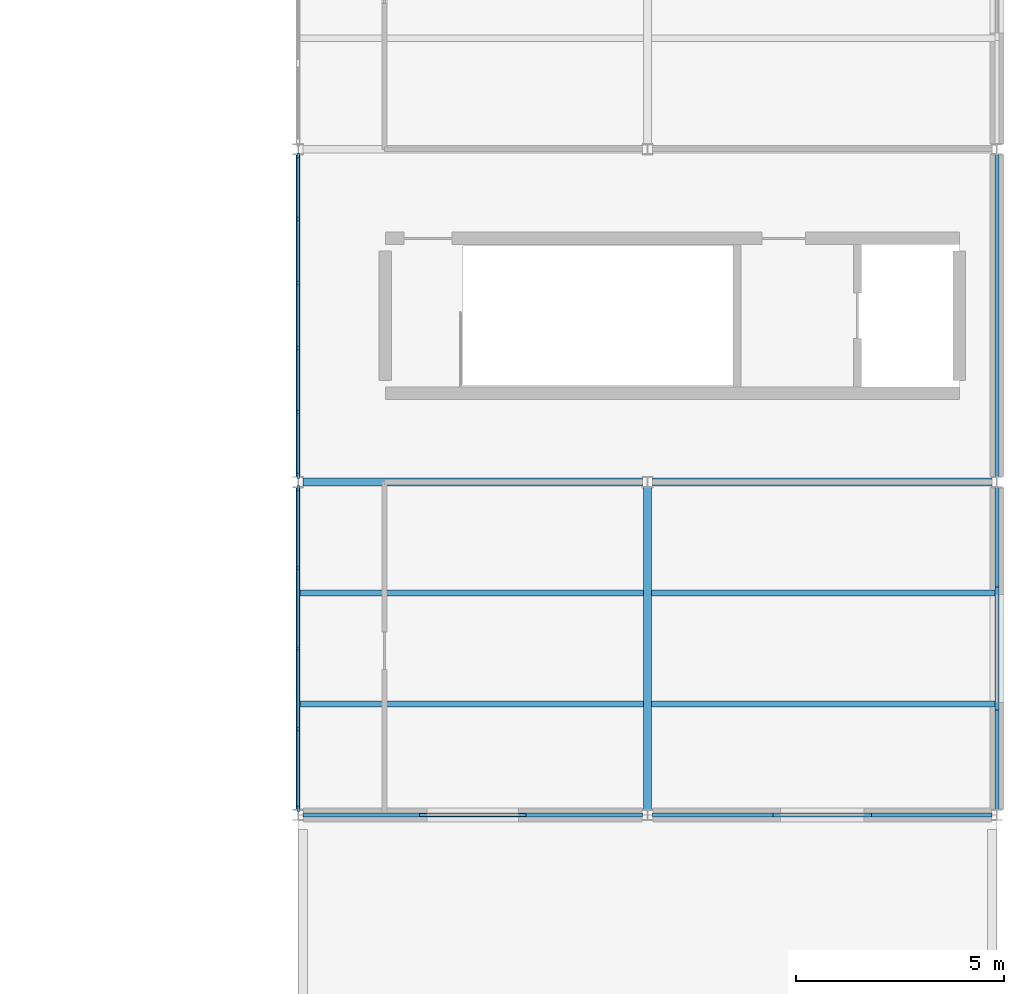
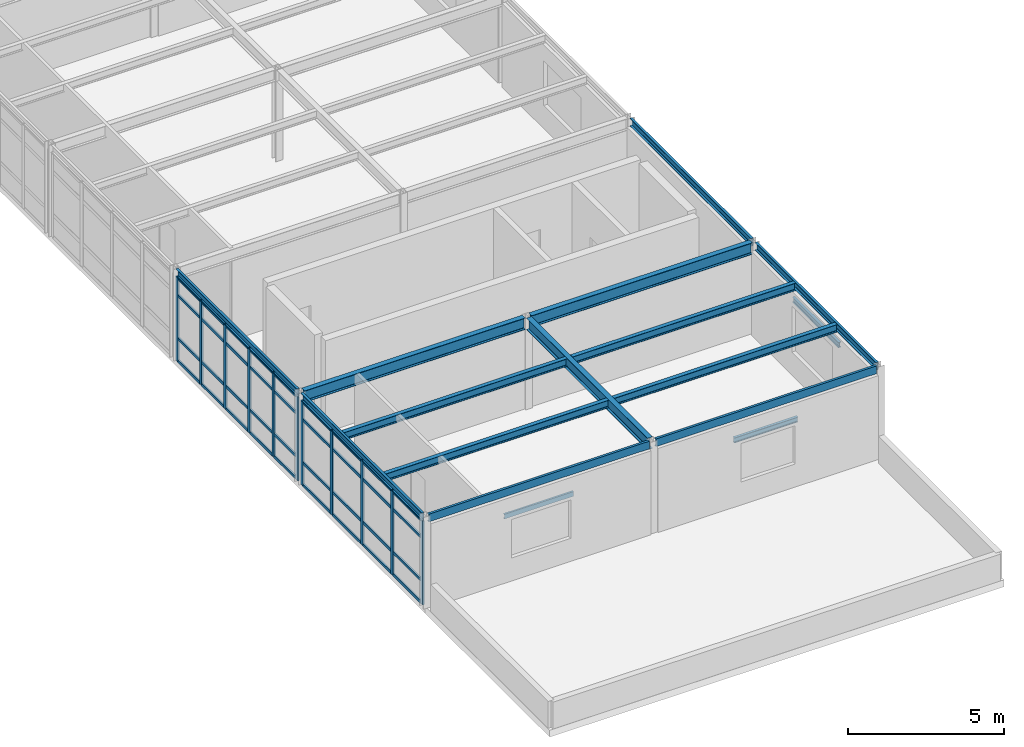
# One storey, part 26 of 53: 47 members, 16 beams, 2 elements without a shape of their own.
"""IFC4 building model written with IfcOpenShell, lengths in metres."""

import ifcopenshell
import ifcopenshell.guid

model = None  # the IFC model being written
_history = None  # IfcOwnerHistory: only IFC2X3 demands one
_inside = {}  # id of a spatial element -> (the spatial element, [elements in it])
_under = {}  # id of a project, library or spatial element -> (it, [spatial elements below it])
_declared = {}  # id of a project -> (the project, [libraries it declares])
_typed = {}  # id of a type object -> (the type object, [elements of that type])
_made_of = {}  # id of a material, layer set ... -> (it, [elements and type objects made of it])


def new_model(schema):
    """Start an empty IFC model of exactly this schema.

    Asked for "IFC4X3", IfcOpenShell would pick the latest addendum, in which some entities
    have other attributes; the version numbers below select the first issue.
    IFC2X3 requires an IfcOwnerHistory on every rooted entity: one is made here for all.
    """
    global model, _history
    if schema == "IFC4X3":
        model = ifcopenshell.file(schema_version=(4, 3, 0, 0))
    else:
        model = ifcopenshell.file(schema=schema)
    _inside.clear()
    _under.clear()
    _declared.clear()
    _typed.clear()
    _made_of.clear()
    _history = None
    if model.schema == "IFC2X3":
        org = make("IfcOrganization", Name="unknown")
        user = make(
            "IfcPersonAndOrganization",
            ThePerson=make("IfcPerson", FamilyName="unknown"),
            TheOrganization=org,
        )
        app = make(
            "IfcApplication",
            ApplicationDeveloper=org,
            Version="unknown",
            ApplicationFullName="unknown",
            ApplicationIdentifier="unknown",
        )
        _history = make(
            "IfcOwnerHistory",
            OwningUser=user,
            OwningApplication=app,
            ChangeAction="ADDED",
            CreationDate=0,
        )
    return model


def make(cls, **values):
    """One entity of the class cls with the attributes given. An attribute that is None is left unset."""
    return model.create_entity(
        cls, **{name: value for name, value in values.items() if value is not None}
    )


def rooted(cls, **values):
    """An entity with a GlobalId (a new one), such as an element, a storey or a relation."""
    return make(cls, GlobalId=ifcopenshell.guid.new(), OwnerHistory=_history, **values)


def si_unit(unit_type, name, prefix=None):
    """IfcSIUnit, for example si_unit("LENGTHUNIT", "METRE", prefix="MILLI")."""
    return make("IfcSIUnit", UnitType=unit_type, Prefix=prefix, Name=name)


def assignment(units):
    """IfcUnitAssignment: the units of a project."""
    return None if units is None else make("IfcUnitAssignment", Units=units)


def point(xyz):
    """IfcCartesianPoint."""
    return None if xyz is None else make("IfcCartesianPoint", Coordinates=xyz)


def direction(xyz):
    """IfcDirection."""
    return None if xyz is None else make("IfcDirection", DirectionRatios=xyz)


def frame(location, z_axis=None, x_axis=None):
    """IfcAxis2Placement3D, a coordinate frame: its origin and axes. An axis left out is left unset."""
    return make(
        "IfcAxis2Placement3D",
        Location=point(location),
        Axis=direction(z_axis),
        RefDirection=direction(x_axis),
    )


def frame_2d(location, x_axis=None):
    """IfcAxis2Placement2D, a coordinate frame in the plane: its origin and x axis."""
    return make(
        "IfcAxis2Placement2D", Location=point(location), RefDirection=direction(x_axis)
    )


def origin():
    """The frame at (0, 0, 0) with its axes left unset."""
    return frame((0.0, 0.0, 0.0))


def origin_2d():
    """The frame at (0, 0) in the plane with its x axis left unset."""
    return frame_2d((0.0, 0.0))


def place(relative_to, where):
    """IfcLocalPlacement: puts the frame where relative to a parent placement (None: the world)."""
    return make(
        "IfcLocalPlacement", PlacementRelTo=relative_to, RelativePlacement=where
    )


def context(
    kind, dimensions, precision=None, world=None, true_north=None, identifier=None
):
    """IfcGeometricRepresentationContext, for example the 3D "Model" context."""
    return make(
        "IfcGeometricRepresentationContext",
        ContextIdentifier=identifier,
        ContextType=kind,
        CoordinateSpaceDimension=dimensions,
        Precision=precision,
        WorldCoordinateSystem=world,
        TrueNorth=true_north,
    )


def subcontext(parent, identifier, kind, view, scale=None):
    """IfcGeometricRepresentationSubContext, for example "Body" below "Model"."""
    return make(
        "IfcGeometricRepresentationSubContext",
        ContextIdentifier=identifier,
        ContextType=kind,
        ParentContext=parent,
        TargetScale=scale,
        TargetView=view,
    )


def project(units=None, contexts=None):
    """IfcProject with its units and contexts."""
    return rooted(
        "IfcProject",
        Name="project",
        RepresentationContexts=contexts,
        UnitsInContext=assignment(units),
    )


def spatial(cls, under=None, at=None, **own):
    """A site, building, storey or space (cls), placed at a placement, below another one or the project."""
    s = rooted(cls, ObjectPlacement=at, **own)
    if under is not None:
        _under.setdefault(under.id(), (under, []))[1].append(s)
    return s


def profile(cls, at=None, kind="AREA", **sizes):
    """A parametric profile (cls). Its sizes go by their IFC names, for example OverallWidth=200.0."""
    return make(cls, ProfileType=kind, Position=at, **sizes)


def rectangle(**sizes):
    """IfcRectangleProfileDef."""
    return profile("IfcRectangleProfileDef", **sizes)


def i_section(**sizes):
    """IfcIShapeProfileDef."""
    return profile("IfcIShapeProfileDef", **sizes)


def u_section(**sizes):
    """IfcUShapeProfileDef."""
    return profile("IfcUShapeProfileDef", **sizes)


def extrude(swept, where, along, depth):
    """IfcExtrudedAreaSolid: the profile swept, set in the frame where, extruded along a direction by depth."""
    return make(
        "IfcExtrudedAreaSolid",
        SweptArea=swept,
        Position=where,
        ExtrudedDirection=direction(along),
        Depth=depth,
    )


def shape(context_of_items, identifier, shape_type, items):
    """IfcShapeRepresentation: the items that make up one representation, for example the "Body"."""
    return make(
        "IfcShapeRepresentation",
        ContextOfItems=context_of_items,
        RepresentationIdentifier=identifier,
        RepresentationType=shape_type,
        Items=items,
    )


def material(Name=None, Category=None):
    """IfcMaterial."""
    return make("IfcMaterial", Name=Name, Category=Category)


def layer(
    of_material, thickness, ventilated=None, Name=None, Category=None, Priority=None
):
    """IfcMaterialLayer: one layer of a wall or slab, of a material (None: an air gap)."""
    return make(
        "IfcMaterialLayer",
        Material=of_material,
        LayerThickness=thickness,
        IsVentilated=ventilated,
        Name=Name,
        Category=Category,
        Priority=Priority,
    )


def layer_set(layers, Name=None):
    """IfcMaterialLayerSet."""
    return make("IfcMaterialLayerSet", MaterialLayers=layers, LayerSetName=Name)


def material_profile(
    of_material, cross_section, Name=None, Category=None, Priority=None
):
    """IfcMaterialProfile: a cross section and its material."""
    return make(
        "IfcMaterialProfile",
        Name=Name,
        Material=of_material,
        Profile=cross_section,
        Priority=Priority,
        Category=Category,
    )


def profile_set(profiles, Name=None, composite=None):
    """IfcMaterialProfileSet."""
    return make(
        "IfcMaterialProfileSet",
        Name=Name,
        MaterialProfiles=profiles,
        CompositeProfile=composite,
    )


def made_of(thing, what):
    """Note that an element or type object is made of a material, layer set ...; save() writes the relation."""
    if what is not None:
        _made_of.setdefault(what.id(), (what, []))[1].append(thing)
    return thing


def type_object(cls, material=None, **own):
    """A type object (cls), such as IfcWallType, which elements share."""
    return made_of(rooted(cls, **own), material)


def element(
    cls,
    number,
    at=None,
    inside=None,
    cuts=None,
    type_object=None,
    material=None,
    context=None,
    identifier="Body",
    shape_type=None,
    held_by="IfcProductDefinitionShape",
    body=None,
    shapes=None,
    **own,
):
    """One element of the class cls, such as IfcWall. Its Tag is "e" and its number.

    at: its placement. inside: the storey or other place that contains it. cuts: it is an
    opening in that element (IfcRelVoidsElement). A single representation is given by context,
    identifier, shape_type and body (its items); several are given by shapes. held_by: the class
    of the entity that holds the representations. save() writes the other relations.
    """
    e = rooted(cls, Tag="e%d" % number, ObjectPlacement=at, **own)
    if body is not None:
        shapes = [shape(context, identifier, shape_type, body)]
    if shapes is not None:
        e.Representation = make(held_by, Representations=shapes)
    if inside is not None:
        _inside.setdefault(inside.id(), (inside, []))[1].append(e)
    if cuts is not None:
        rooted(
            "IfcRelVoidsElement", RelatingBuildingElement=cuts, RelatedOpeningElement=e
        )
    if type_object is not None:
        _typed.setdefault(type_object.id(), (type_object, []))[1].append(e)
    return made_of(e, material)


def aggregate(whole, parts):
    """IfcRelAggregates: a whole, such as a stair, and the parts it consists of."""
    return rooted("IfcRelAggregates", RelatingObject=whole, RelatedObjects=parts)


def save(model, path):
    """Write the relations noted so far, then the file.

    IfcRelAggregates (storeys below a building ...), IfcRelContainedInSpatialStructure (elements
    in a storey), IfcRelDefinesByType, IfcRelAssociatesMaterial and IfcRelDeclares: one each for
    every whole, place, type object, material and project.
    """
    for whole, parts in _under.values():
        aggregate(whole, parts)
    for where, things in _inside.values():
        rooted(
            "IfcRelContainedInSpatialStructure",
            RelatedElements=things,
            RelatingStructure=where,
        )
    for kind, things in _typed.values():
        rooted("IfcRelDefinesByType", RelatedObjects=things, RelatingType=kind)
    for what, things in _made_of.values():
        rooted("IfcRelAssociatesMaterial", RelatedObjects=things, RelatingMaterial=what)
    for by, libraries in _declared.values():
        rooted("IfcRelDeclares", RelatingContext=by, RelatedDefinitions=libraries)
    model.write(path)


model = new_model("IFC4")

# Units and contexts
model_context = context("Model", 3, precision=1e-05, world=origin(), true_north=direction((0.0, 1.0)))
body_context = subcontext(model_context, "Body", "Model", "MODEL_VIEW")
ifc_project = project(units=[si_unit("LENGTHUNIT", "METRE"), si_unit("AREAUNIT", "SQUARE_METRE"), si_unit("VOLUMEUNIT", "CUBIC_METRE"), si_unit("PLANEANGLEUNIT", "RADIAN"), si_unit("MASSUNIT", "GRAM", prefix="KILO")], contexts=[model_context])

# Site, building, storey
site_placement = place(None, origin())
site = spatial("IfcSite", under=ifc_project, at=site_placement, CompositionType="ELEMENT")
building_placement = place(site_placement, origin())
building = spatial("IfcBuilding", under=site, at=building_placement, Name="Kranzveld Transit Interchange", CompositionType="ELEMENT")
storey_placement = place(building_placement, frame((0.0, 0.0, 13.360107421875)))
storey = spatial("IfcBuildingStorey", under=building, at=storey_placement, Name="L03", CompositionType="ELEMENT", Elevation=13.360107421875)

# Beams
ifc_material_1 = material(Name="Steel S355JR", Category="steel")
ifc_material_profile_1 = material_profile(ifc_material_1, i_section(OverallWidth=0.18994140625, OverallDepth=0.453369140625, WebThickness=0.008544921875, FlangeThickness=0.0126953125, FilletRadius=0.01025390625, at=origin_2d()), Name="UB 457x191x67")
ifc_profile_set_1 = profile_set([ifc_material_profile_1], Name="Steel S355JR")
beam_type_1 = type_object("IfcBeamType", Name="Beam Steel UB 457x191x67 S355JR", PredefinedType="BEAM", material=ifc_profile_set_1)
beam_1_placement = place(storey_placement, frame((159.60009765625, 64.1201171875, 3.353271484375), z_axis=(0.0, 1.0, 0.0), x_axis=(-1.0, 0.0, 0.0)))
element("IfcBeam", 1, at=beam_1_placement, inside=storey, type_object=beam_type_1, Name="L03 Girder 20/J-K", PredefinedType="BEAM", context=body_context, shape_type="SweptSolid", body=[
    extrude(i_section(OverallWidth=0.18994140625, OverallDepth=0.453369140625, WebThickness=0.008544921875, FlangeThickness=0.0126953125, FilletRadius=0.01025390625, at=origin_2d()), origin(), (0.0, 0.0, 1.0), 7.759765625),
])
ifc_material_2 = material(Name="Steel S355JR", Category="steel")
ifc_material_profile_2 = material_profile(ifc_material_2, i_section(OverallWidth=0.1904296875, OverallDepth=0.45703125, WebThickness=0.009033203125, FlangeThickness=0.014404296875, FilletRadius=0.01025390625, at=origin_2d()), Name="UB 457x191x74")
ifc_profile_set_2 = profile_set([ifc_material_profile_2], Name="Steel S355JR")
beam_type_2 = type_object("IfcBeamType", Name="Beam Steel UB 457x191x74 S355JR", PredefinedType="BEAM", material=ifc_profile_set_2)
for number, where, z_axis, x_axis, name in (
    (2, (151.318115234375, 72.0, 3.351318359375), (1.0, 0.0, 0.0), (0.0, 1.0, 0.0), "L03 Girder 19-20/K"),
    (3, (159.718017578125, 72.0, 3.351318359375), (1.0, 0.0, 0.0), (0.0, 1.0, 0.0), "L03 Girder 20-21/K"),
):
    element("IfcBeam", number, at=place(storey_placement, frame(where, z_axis=z_axis, x_axis=x_axis)), inside=storey, type_object=beam_type_2, Name=name, PredefinedType="BEAM", context=body_context, shape_type="SweptSolid", body=[
        extrude(i_section(OverallWidth=0.1904296875, OverallDepth=0.45703125, WebThickness=0.009033203125, FlangeThickness=0.014404296875, FilletRadius=0.01025390625, at=origin_2d()), origin(), (0.0, 0.0, 1.0), 8.163818359375),
    ])

# Curtain wall, members
ifc_material_3 = material(Name="Bronze-anodised thermally broken aluminium", Category="aluminium")
ifc_layer_1 = layer(ifc_material_3, 0.159912109375)
ifc_layer_set_1 = layer_set([ifc_layer_1], Name="Bronze-anodised thermally broken aluminium")
curtain_wall_type_1 = type_object("IfcCurtainWallType", Name="Bus Boarding Glazed Screen CW-3", PredefinedType="USERDEFINED", material=ifc_layer_set_1)
curtain_wall_1_placement = place(storey_placement, origin())
curtain_wall_1 = element("IfcCurtainWall", 4, at=curtain_wall_1_placement, inside=storey, type_object=curtain_wall_type_1, Name="L03 Curtain Wall 19/J-19/K", ObjectType="CURTAIN WALL", PredefinedType="USERDEFINED")
ifc_material_4 = material(Name="Bronze-anodised thermally broken aluminium", Category="aluminium")
ifc_material_profile_3 = material_profile(ifc_material_4, rectangle(XDim=0.06005859375, YDim=0.14990234375, at=origin_2d()), Name="ALU MULLION 60x150")
ifc_profile_set_3 = profile_set([ifc_material_profile_3], Name="Bronze-anodised thermally broken aluminium")
member_type_1 = type_object("IfcMemberType", Name="Curtain Wall Mullion 60x150 Alu", PredefinedType="MULLION", material=ifc_profile_set_3)
member_1_placement = place(storey_placement, frame((151.199951171875, 64.16015625, 0.0), z_axis=(0.0, 0.0, 1.0), x_axis=(-1.0, 0.0, 0.0)))
member_1 = element("IfcMember", 5, at=member_1_placement, type_object=member_type_1, Name="CW-3 mullion 1", PredefinedType="MULLION", context=body_context, shape_type="SweptSolid", body=[
    extrude(rectangle(XDim=0.06005859375, YDim=0.14990234375, at=origin_2d()), origin(), (0.0, 0.0, 1.0), 3.27978515625),
])
member_2_placement = place(storey_placement, frame((151.199951171875, 66.06494140625, 0.0), z_axis=(0.0, 0.0, 1.0), x_axis=(-1.0, 0.0, 0.0)))
member_2 = element("IfcMember", 6, at=member_2_placement, type_object=member_type_1, Name="CW-3 mullion 2", PredefinedType="MULLION", context=body_context, shape_type="SweptSolid", body=[
    extrude(rectangle(XDim=0.06005859375, YDim=0.14990234375, at=origin_2d()), origin(), (0.0, 0.0, 1.0), 3.27978515625),
])
member_3_placement = place(storey_placement, frame((151.199951171875, 68.0, 0.0), z_axis=(0.0, 0.0, 1.0), x_axis=(-1.0, 0.0, 0.0)))
member_3 = element("IfcMember", 7, at=member_3_placement, type_object=member_type_1, Name="CW-3 mullion 3", PredefinedType="MULLION", context=body_context, shape_type="SweptSolid", body=[
    extrude(rectangle(XDim=0.06005859375, YDim=0.14990234375, at=origin_2d()), origin(), (0.0, 0.0, 1.0), 3.27978515625),
])
member_4_placement = place(storey_placement, frame((151.199951171875, 69.93505859375, 0.0), z_axis=(0.0, 0.0, 1.0), x_axis=(-1.0, 0.0, 0.0)))
member_4 = element("IfcMember", 8, at=member_4_placement, type_object=member_type_1, Name="CW-3 mullion 4", PredefinedType="MULLION", context=body_context, shape_type="SweptSolid", body=[
    extrude(rectangle(XDim=0.06005859375, YDim=0.14990234375, at=origin_2d()), origin(), (0.0, 0.0, 1.0), 3.27978515625),
])
member_5_placement = place(storey_placement, frame((151.199951171875, 71.83984375, 0.0), z_axis=(0.0, 0.0, 1.0), x_axis=(-1.0, 0.0, 0.0)))
member_5 = element("IfcMember", 9, at=member_5_placement, type_object=member_type_1, Name="CW-3 mullion 5", PredefinedType="MULLION", context=body_context, shape_type="SweptSolid", body=[
    extrude(rectangle(XDim=0.06005859375, YDim=0.14990234375, at=origin_2d()), origin(), (0.0, 0.0, 1.0), 3.27978515625),
])

ifc_material_5 = material(Name="Bronze-anodised thermally broken aluminium", Category="aluminium")
ifc_layer_2 = layer(ifc_material_5, 0.14990234375)
ifc_layer_set_2 = layer_set([ifc_layer_2], Name="Bronze-anodised thermally broken aluminium")
curtain_wall_type_2 = type_object("IfcCurtainWallType", Name="Public Passage Clerestory Screen CW-4", PredefinedType="USERDEFINED", material=ifc_layer_set_2)
curtain_wall_2_placement = place(storey_placement, origin())
curtain_wall_2 = element("IfcCurtainWall", 10, at=curtain_wall_2_placement, inside=storey, type_object=curtain_wall_type_2, Name="L03 Curtain Wall 19/K-19/L", ObjectType="CURTAIN WALL", PredefinedType="USERDEFINED")
member_6_placement = place(storey_placement, frame((151.199951171875, 72.16015625, 0.0), z_axis=(0.0, 0.0, 1.0), x_axis=(-1.0, 0.0, 0.0)))
member_6 = element("IfcMember", 11, at=member_6_placement, type_object=member_type_1, Name="CW-4 mullion 1", PredefinedType="MULLION", context=body_context, shape_type="SweptSolid", body=[
    extrude(rectangle(XDim=0.06005859375, YDim=0.14990234375, at=origin_2d()), origin(), (0.0, 0.0, 1.0), 3.27978515625),
])
member_7_placement = place(storey_placement, frame((151.199951171875, 73.677978515625, 0.0), z_axis=(0.0, 0.0, 1.0), x_axis=(-1.0, 0.0, 0.0)))
member_7 = element("IfcMember", 12, at=member_7_placement, type_object=member_type_1, Name="CW-4 mullion 2", PredefinedType="MULLION", context=body_context, shape_type="SweptSolid", body=[
    extrude(rectangle(XDim=0.06005859375, YDim=0.14990234375, at=origin_2d()), origin(), (0.0, 0.0, 1.0), 3.27978515625),
])
member_8_placement = place(storey_placement, frame((151.199951171875, 75.22607421875, 0.0), z_axis=(0.0, 0.0, 1.0), x_axis=(-1.0, 0.0, 0.0)))
member_8 = element("IfcMember", 13, at=member_8_placement, type_object=member_type_1, Name="CW-4 mullion 3", PredefinedType="MULLION", context=body_context, shape_type="SweptSolid", body=[
    extrude(rectangle(XDim=0.06005859375, YDim=0.14990234375, at=origin_2d()), origin(), (0.0, 0.0, 1.0), 3.27978515625),
])
member_9_placement = place(storey_placement, frame((151.199951171875, 76.77392578125, 0.0), z_axis=(0.0, 0.0, 1.0), x_axis=(-1.0, 0.0, 0.0)))
member_9 = element("IfcMember", 14, at=member_9_placement, type_object=member_type_1, Name="CW-4 mullion 4", PredefinedType="MULLION", context=body_context, shape_type="SweptSolid", body=[
    extrude(rectangle(XDim=0.06005859375, YDim=0.14990234375, at=origin_2d()), origin(), (0.0, 0.0, 1.0), 3.27978515625),
])
member_10_placement = place(storey_placement, frame((151.199951171875, 78.322021484375, 0.0), z_axis=(0.0, 0.0, 1.0), x_axis=(-1.0, 0.0, 0.0)))
member_10 = element("IfcMember", 15, at=member_10_placement, type_object=member_type_1, Name="CW-4 mullion 5", PredefinedType="MULLION", context=body_context, shape_type="SweptSolid", body=[
    extrude(rectangle(XDim=0.06005859375, YDim=0.14990234375, at=origin_2d()), origin(), (0.0, 0.0, 1.0), 3.27978515625),
])
member_11_placement = place(storey_placement, frame((151.199951171875, 79.83984375, 0.0), z_axis=(0.0, 0.0, 1.0), x_axis=(-1.0, 0.0, 0.0)))
member_11 = element("IfcMember", 16, at=member_11_placement, type_object=member_type_1, Name="CW-4 mullion 6", PredefinedType="MULLION", context=body_context, shape_type="SweptSolid", body=[
    extrude(rectangle(XDim=0.06005859375, YDim=0.14990234375, at=origin_2d()), origin(), (0.0, 0.0, 1.0), 3.27978515625),
])

# Member
ifc_material_6 = material(Name="Bronze-anodised thermally broken aluminium", Category="aluminium")
ifc_material_profile_4 = material_profile(ifc_material_6, rectangle(XDim=0.06005859375, YDim=0.110107421875, at=origin_2d()), Name="ALU TRANSOM 60x110")
ifc_profile_set_4 = profile_set([ifc_material_profile_4], Name="Bronze-anodised thermally broken aluminium")
member_type_2 = type_object("IfcMemberType", Name="Curtain Wall Transom 60x110 Alu", PredefinedType="USERDEFINED", material=ifc_profile_set_4)
member_12_placement = place(storey_placement, frame((151.199951171875, 64.190185546875, 0.02978515625), z_axis=(0.0, 1.0, 0.0), x_axis=(-1.0, 0.0, 0.0)))
member_12 = element("IfcMember", 17, at=member_12_placement, type_object=member_type_2, Name="CW-3 transom 1.1", ObjectType="TRANSOM", PredefinedType="USERDEFINED", context=body_context, shape_type="SweptSolid", body=[
    extrude(rectangle(XDim=0.06005859375, YDim=0.110107421875, at=origin_2d()), origin(), (0.0, 0.0, 1.0), 1.844970703125),
])

member_13_placement = place(storey_placement, frame((151.199951171875, 64.190185546875, 0.89990234375), z_axis=(0.0, 1.0, 0.0), x_axis=(-1.0, 0.0, 0.0)))
member_13 = element("IfcMember", 18, at=member_13_placement, type_object=member_type_2, Name="CW-3 transom 1.2", ObjectType="TRANSOM", PredefinedType="USERDEFINED", context=body_context, shape_type="SweptSolid", body=[
    extrude(rectangle(XDim=0.06005859375, YDim=0.110107421875, at=origin_2d()), origin(), (0.0, 0.0, 1.0), 1.844970703125),
])

member_14_placement = place(storey_placement, frame((151.199951171875, 64.190185546875, 2.579833984375), z_axis=(0.0, 1.0, 0.0), x_axis=(-1.0, 0.0, 0.0)))
member_14 = element("IfcMember", 19, at=member_14_placement, type_object=member_type_2, Name="CW-3 transom 1.3", ObjectType="TRANSOM", PredefinedType="USERDEFINED", context=body_context, shape_type="SweptSolid", body=[
    extrude(rectangle(XDim=0.06005859375, YDim=0.110107421875, at=origin_2d()), origin(), (0.0, 0.0, 1.0), 1.844970703125),
])

member_15_placement = place(storey_placement, frame((151.199951171875, 64.190185546875, 3.25), z_axis=(0.0, 1.0, 0.0), x_axis=(-1.0, 0.0, 0.0)))
member_15 = element("IfcMember", 20, at=member_15_placement, type_object=member_type_2, Name="CW-3 transom 1.4", ObjectType="TRANSOM", PredefinedType="USERDEFINED", context=body_context, shape_type="SweptSolid", body=[
    extrude(rectangle(XDim=0.06005859375, YDim=0.110107421875, at=origin_2d()), origin(), (0.0, 0.0, 1.0), 1.844970703125),
])

member_16_placement = place(storey_placement, frame((151.199951171875, 66.094970703125, 0.02978515625), z_axis=(0.0, 1.0, 0.0), x_axis=(-1.0, 0.0, 0.0)))
member_16 = element("IfcMember", 21, at=member_16_placement, type_object=member_type_2, Name="CW-3 transom 2.1", ObjectType="TRANSOM", PredefinedType="USERDEFINED", context=body_context, shape_type="SweptSolid", body=[
    extrude(rectangle(XDim=0.06005859375, YDim=0.110107421875, at=origin_2d()), origin(), (0.0, 0.0, 1.0), 1.875),
])

member_17_placement = place(storey_placement, frame((151.199951171875, 66.094970703125, 0.89990234375), z_axis=(0.0, 1.0, 0.0), x_axis=(-1.0, 0.0, 0.0)))
member_17 = element("IfcMember", 22, at=member_17_placement, type_object=member_type_2, Name="CW-3 transom 2.2", ObjectType="TRANSOM", PredefinedType="USERDEFINED", context=body_context, shape_type="SweptSolid", body=[
    extrude(rectangle(XDim=0.06005859375, YDim=0.110107421875, at=origin_2d()), origin(), (0.0, 0.0, 1.0), 1.875),
])

member_18_placement = place(storey_placement, frame((151.199951171875, 66.094970703125, 2.579833984375), z_axis=(0.0, 1.0, 0.0), x_axis=(-1.0, 0.0, 0.0)))
member_18 = element("IfcMember", 23, at=member_18_placement, type_object=member_type_2, Name="CW-3 transom 2.3", ObjectType="TRANSOM", PredefinedType="USERDEFINED", context=body_context, shape_type="SweptSolid", body=[
    extrude(rectangle(XDim=0.06005859375, YDim=0.110107421875, at=origin_2d()), origin(), (0.0, 0.0, 1.0), 1.875),
])

member_19_placement = place(storey_placement, frame((151.199951171875, 66.094970703125, 3.25), z_axis=(0.0, 1.0, 0.0), x_axis=(-1.0, 0.0, 0.0)))
member_19 = element("IfcMember", 24, at=member_19_placement, type_object=member_type_2, Name="CW-3 transom 2.4", ObjectType="TRANSOM", PredefinedType="USERDEFINED", context=body_context, shape_type="SweptSolid", body=[
    extrude(rectangle(XDim=0.06005859375, YDim=0.110107421875, at=origin_2d()), origin(), (0.0, 0.0, 1.0), 1.875),
])

member_20_placement = place(storey_placement, frame((151.199951171875, 68.030029296875, 0.02978515625), z_axis=(0.0, 1.0, 0.0), x_axis=(-1.0, 0.0, 0.0)))
member_20 = element("IfcMember", 25, at=member_20_placement, type_object=member_type_2, Name="CW-3 transom 3.1", ObjectType="TRANSOM", PredefinedType="USERDEFINED", context=body_context, shape_type="SweptSolid", body=[
    extrude(rectangle(XDim=0.06005859375, YDim=0.110107421875, at=origin_2d()), origin(), (0.0, 0.0, 1.0), 1.875),
])

member_21_placement = place(storey_placement, frame((151.199951171875, 68.030029296875, 0.89990234375), z_axis=(0.0, 1.0, 0.0), x_axis=(-1.0, 0.0, 0.0)))
member_21 = element("IfcMember", 26, at=member_21_placement, type_object=member_type_2, Name="CW-3 transom 3.2", ObjectType="TRANSOM", PredefinedType="USERDEFINED", context=body_context, shape_type="SweptSolid", body=[
    extrude(rectangle(XDim=0.06005859375, YDim=0.110107421875, at=origin_2d()), origin(), (0.0, 0.0, 1.0), 1.875),
])

member_22_placement = place(storey_placement, frame((151.199951171875, 68.030029296875, 2.579833984375), z_axis=(0.0, 1.0, 0.0), x_axis=(-1.0, 0.0, 0.0)))
member_22 = element("IfcMember", 27, at=member_22_placement, type_object=member_type_2, Name="CW-3 transom 3.3", ObjectType="TRANSOM", PredefinedType="USERDEFINED", context=body_context, shape_type="SweptSolid", body=[
    extrude(rectangle(XDim=0.06005859375, YDim=0.110107421875, at=origin_2d()), origin(), (0.0, 0.0, 1.0), 1.875),
])

member_23_placement = place(storey_placement, frame((151.199951171875, 68.030029296875, 3.25), z_axis=(0.0, 1.0, 0.0), x_axis=(-1.0, 0.0, 0.0)))
member_23 = element("IfcMember", 28, at=member_23_placement, type_object=member_type_2, Name="CW-3 transom 3.4", ObjectType="TRANSOM", PredefinedType="USERDEFINED", context=body_context, shape_type="SweptSolid", body=[
    extrude(rectangle(XDim=0.06005859375, YDim=0.110107421875, at=origin_2d()), origin(), (0.0, 0.0, 1.0), 1.875),
])

member_24_placement = place(storey_placement, frame((151.199951171875, 69.96484375, 0.02978515625), z_axis=(0.0, 1.0, 0.0), x_axis=(-1.0, 0.0, 0.0)))
member_24 = element("IfcMember", 29, at=member_24_placement, type_object=member_type_2, Name="CW-3 transom 4.1", ObjectType="TRANSOM", PredefinedType="USERDEFINED", context=body_context, shape_type="SweptSolid", body=[
    extrude(rectangle(XDim=0.06005859375, YDim=0.110107421875, at=origin_2d()), origin(), (0.0, 0.0, 1.0), 1.844970703125),
])

member_25_placement = place(storey_placement, frame((151.199951171875, 69.96484375, 0.89990234375), z_axis=(0.0, 1.0, 0.0), x_axis=(-1.0, 0.0, 0.0)))
member_25 = element("IfcMember", 30, at=member_25_placement, type_object=member_type_2, Name="CW-3 transom 4.2", ObjectType="TRANSOM", PredefinedType="USERDEFINED", context=body_context, shape_type="SweptSolid", body=[
    extrude(rectangle(XDim=0.06005859375, YDim=0.110107421875, at=origin_2d()), origin(), (0.0, 0.0, 1.0), 1.844970703125),
])

member_26_placement = place(storey_placement, frame((151.199951171875, 69.96484375, 2.579833984375), z_axis=(0.0, 1.0, 0.0), x_axis=(-1.0, 0.0, 0.0)))
member_26 = element("IfcMember", 31, at=member_26_placement, type_object=member_type_2, Name="CW-3 transom 4.3", ObjectType="TRANSOM", PredefinedType="USERDEFINED", context=body_context, shape_type="SweptSolid", body=[
    extrude(rectangle(XDim=0.06005859375, YDim=0.110107421875, at=origin_2d()), origin(), (0.0, 0.0, 1.0), 1.844970703125),
])

member_27_placement = place(storey_placement, frame((151.199951171875, 69.96484375, 3.25), z_axis=(0.0, 1.0, 0.0), x_axis=(-1.0, 0.0, 0.0)))
member_27 = element("IfcMember", 32, at=member_27_placement, type_object=member_type_2, Name="CW-3 transom 4.4", ObjectType="TRANSOM", PredefinedType="USERDEFINED", context=body_context, shape_type="SweptSolid", body=[
    extrude(rectangle(XDim=0.06005859375, YDim=0.110107421875, at=origin_2d()), origin(), (0.0, 0.0, 1.0), 1.844970703125),
])

aggregate(curtain_wall_1, [member_1, member_2, member_3, member_4, member_5, member_12, member_13, member_14, member_15, member_16, member_17, member_18, member_19, member_20, member_21, member_22, member_23, member_24, member_25, member_26, member_27])

member_28_placement = place(storey_placement, frame((151.199951171875, 72.190185546875, 0.02978515625), z_axis=(0.0, 1.0, 0.0), x_axis=(-1.0, 0.0, 0.0)))
member_28 = element("IfcMember", 33, at=member_28_placement, type_object=member_type_2, Name="CW-4 transom 1.1", ObjectType="TRANSOM", PredefinedType="USERDEFINED", context=body_context, shape_type="SweptSolid", body=[
    extrude(rectangle(XDim=0.06005859375, YDim=0.110107421875, at=origin_2d()), origin(), (0.0, 0.0, 1.0), 1.457763671875),
])

member_29_placement = place(storey_placement, frame((151.199951171875, 72.190185546875, 0.89990234375), z_axis=(0.0, 1.0, 0.0), x_axis=(-1.0, 0.0, 0.0)))
member_29 = element("IfcMember", 34, at=member_29_placement, type_object=member_type_2, Name="CW-4 transom 1.2", ObjectType="TRANSOM", PredefinedType="USERDEFINED", context=body_context, shape_type="SweptSolid", body=[
    extrude(rectangle(XDim=0.06005859375, YDim=0.110107421875, at=origin_2d()), origin(), (0.0, 0.0, 1.0), 1.457763671875),
])

member_30_placement = place(storey_placement, frame((151.199951171875, 72.190185546875, 2.579833984375), z_axis=(0.0, 1.0, 0.0), x_axis=(-1.0, 0.0, 0.0)))
member_30 = element("IfcMember", 35, at=member_30_placement, type_object=member_type_2, Name="CW-4 transom 1.3", ObjectType="TRANSOM", PredefinedType="USERDEFINED", context=body_context, shape_type="SweptSolid", body=[
    extrude(rectangle(XDim=0.06005859375, YDim=0.110107421875, at=origin_2d()), origin(), (0.0, 0.0, 1.0), 1.457763671875),
])

member_31_placement = place(storey_placement, frame((151.199951171875, 72.190185546875, 3.25), z_axis=(0.0, 1.0, 0.0), x_axis=(-1.0, 0.0, 0.0)))
member_31 = element("IfcMember", 36, at=member_31_placement, type_object=member_type_2, Name="CW-4 transom 1.4", ObjectType="TRANSOM", PredefinedType="USERDEFINED", context=body_context, shape_type="SweptSolid", body=[
    extrude(rectangle(XDim=0.06005859375, YDim=0.110107421875, at=origin_2d()), origin(), (0.0, 0.0, 1.0), 1.457763671875),
])

member_32_placement = place(storey_placement, frame((151.199951171875, 73.7080078125, 0.02978515625), z_axis=(0.0, 1.0, 0.0), x_axis=(-1.0, 0.0, 0.0)))
member_32 = element("IfcMember", 37, at=member_32_placement, type_object=member_type_2, Name="CW-4 transom 2.1", ObjectType="TRANSOM", PredefinedType="USERDEFINED", context=body_context, shape_type="SweptSolid", body=[
    extrude(rectangle(XDim=0.06005859375, YDim=0.110107421875, at=origin_2d()), origin(), (0.0, 0.0, 1.0), 1.488037109375),
])

member_33_placement = place(storey_placement, frame((151.199951171875, 73.7080078125, 0.89990234375), z_axis=(0.0, 1.0, 0.0), x_axis=(-1.0, 0.0, 0.0)))
member_33 = element("IfcMember", 38, at=member_33_placement, type_object=member_type_2, Name="CW-4 transom 2.2", ObjectType="TRANSOM", PredefinedType="USERDEFINED", context=body_context, shape_type="SweptSolid", body=[
    extrude(rectangle(XDim=0.06005859375, YDim=0.110107421875, at=origin_2d()), origin(), (0.0, 0.0, 1.0), 1.488037109375),
])

member_34_placement = place(storey_placement, frame((151.199951171875, 73.7080078125, 2.579833984375), z_axis=(0.0, 1.0, 0.0), x_axis=(-1.0, 0.0, 0.0)))
member_34 = element("IfcMember", 39, at=member_34_placement, type_object=member_type_2, Name="CW-4 transom 2.3", ObjectType="TRANSOM", PredefinedType="USERDEFINED", context=body_context, shape_type="SweptSolid", body=[
    extrude(rectangle(XDim=0.06005859375, YDim=0.110107421875, at=origin_2d()), origin(), (0.0, 0.0, 1.0), 1.488037109375),
])

member_35_placement = place(storey_placement, frame((151.199951171875, 73.7080078125, 3.25), z_axis=(0.0, 1.0, 0.0), x_axis=(-1.0, 0.0, 0.0)))
member_35 = element("IfcMember", 40, at=member_35_placement, type_object=member_type_2, Name="CW-4 transom 2.4", ObjectType="TRANSOM", PredefinedType="USERDEFINED", context=body_context, shape_type="SweptSolid", body=[
    extrude(rectangle(XDim=0.06005859375, YDim=0.110107421875, at=origin_2d()), origin(), (0.0, 0.0, 1.0), 1.488037109375),
])

member_36_placement = place(storey_placement, frame((151.199951171875, 75.256103515625, 0.02978515625), z_axis=(0.0, 1.0, 0.0), x_axis=(-1.0, 0.0, 0.0)))
member_36 = element("IfcMember", 41, at=member_36_placement, type_object=member_type_2, Name="CW-4 transom 3.1", ObjectType="TRANSOM", PredefinedType="USERDEFINED", context=body_context, shape_type="SweptSolid", body=[
    extrude(rectangle(XDim=0.06005859375, YDim=0.110107421875, at=origin_2d()), origin(), (0.0, 0.0, 1.0), 1.48779296875),
])

member_37_placement = place(storey_placement, frame((151.199951171875, 75.256103515625, 0.89990234375), z_axis=(0.0, 1.0, 0.0), x_axis=(-1.0, 0.0, 0.0)))
member_37 = element("IfcMember", 42, at=member_37_placement, type_object=member_type_2, Name="CW-4 transom 3.2", ObjectType="TRANSOM", PredefinedType="USERDEFINED", context=body_context, shape_type="SweptSolid", body=[
    extrude(rectangle(XDim=0.06005859375, YDim=0.110107421875, at=origin_2d()), origin(), (0.0, 0.0, 1.0), 1.48779296875),
])

member_38_placement = place(storey_placement, frame((151.199951171875, 75.256103515625, 2.579833984375), z_axis=(0.0, 1.0, 0.0), x_axis=(-1.0, 0.0, 0.0)))
member_38 = element("IfcMember", 43, at=member_38_placement, type_object=member_type_2, Name="CW-4 transom 3.3", ObjectType="TRANSOM", PredefinedType="USERDEFINED", context=body_context, shape_type="SweptSolid", body=[
    extrude(rectangle(XDim=0.06005859375, YDim=0.110107421875, at=origin_2d()), origin(), (0.0, 0.0, 1.0), 1.48779296875),
])

member_39_placement = place(storey_placement, frame((151.199951171875, 75.256103515625, 3.25), z_axis=(0.0, 1.0, 0.0), x_axis=(-1.0, 0.0, 0.0)))
member_39 = element("IfcMember", 44, at=member_39_placement, type_object=member_type_2, Name="CW-4 transom 3.4", ObjectType="TRANSOM", PredefinedType="USERDEFINED", context=body_context, shape_type="SweptSolid", body=[
    extrude(rectangle(XDim=0.06005859375, YDim=0.110107421875, at=origin_2d()), origin(), (0.0, 0.0, 1.0), 1.48779296875),
])

member_40_placement = place(storey_placement, frame((151.199951171875, 76.803955078125, 0.02978515625), z_axis=(0.0, 1.0, 0.0), x_axis=(-1.0, 0.0, 0.0)))
member_40 = element("IfcMember", 45, at=member_40_placement, type_object=member_type_2, Name="CW-4 transom 4.1", ObjectType="TRANSOM", PredefinedType="USERDEFINED", context=body_context, shape_type="SweptSolid", body=[
    extrude(rectangle(XDim=0.06005859375, YDim=0.110107421875, at=origin_2d()), origin(), (0.0, 0.0, 1.0), 1.488037109375),
])

member_41_placement = place(storey_placement, frame((151.199951171875, 76.803955078125, 0.89990234375), z_axis=(0.0, 1.0, 0.0), x_axis=(-1.0, 0.0, 0.0)))
member_41 = element("IfcMember", 46, at=member_41_placement, type_object=member_type_2, Name="CW-4 transom 4.2", ObjectType="TRANSOM", PredefinedType="USERDEFINED", context=body_context, shape_type="SweptSolid", body=[
    extrude(rectangle(XDim=0.06005859375, YDim=0.110107421875, at=origin_2d()), origin(), (0.0, 0.0, 1.0), 1.488037109375),
])

member_42_placement = place(storey_placement, frame((151.199951171875, 76.803955078125, 2.579833984375), z_axis=(0.0, 1.0, 0.0), x_axis=(-1.0, 0.0, 0.0)))
member_42 = element("IfcMember", 47, at=member_42_placement, type_object=member_type_2, Name="CW-4 transom 4.3", ObjectType="TRANSOM", PredefinedType="USERDEFINED", context=body_context, shape_type="SweptSolid", body=[
    extrude(rectangle(XDim=0.06005859375, YDim=0.110107421875, at=origin_2d()), origin(), (0.0, 0.0, 1.0), 1.488037109375),
])

member_43_placement = place(storey_placement, frame((151.199951171875, 76.803955078125, 3.25), z_axis=(0.0, 1.0, 0.0), x_axis=(-1.0, 0.0, 0.0)))
member_43 = element("IfcMember", 48, at=member_43_placement, type_object=member_type_2, Name="CW-4 transom 4.4", ObjectType="TRANSOM", PredefinedType="USERDEFINED", context=body_context, shape_type="SweptSolid", body=[
    extrude(rectangle(XDim=0.06005859375, YDim=0.110107421875, at=origin_2d()), origin(), (0.0, 0.0, 1.0), 1.488037109375),
])

member_44_placement = place(storey_placement, frame((151.199951171875, 78.35205078125, 0.02978515625), z_axis=(0.0, 1.0, 0.0), x_axis=(-1.0, 0.0, 0.0)))
member_44 = element("IfcMember", 49, at=member_44_placement, type_object=member_type_2, Name="CW-4 transom 5.1", ObjectType="TRANSOM", PredefinedType="USERDEFINED", context=body_context, shape_type="SweptSolid", body=[
    extrude(rectangle(XDim=0.06005859375, YDim=0.110107421875, at=origin_2d()), origin(), (0.0, 0.0, 1.0), 1.457763671875),
])

member_45_placement = place(storey_placement, frame((151.199951171875, 78.35205078125, 0.89990234375), z_axis=(0.0, 1.0, 0.0), x_axis=(-1.0, 0.0, 0.0)))
member_45 = element("IfcMember", 50, at=member_45_placement, type_object=member_type_2, Name="CW-4 transom 5.2", ObjectType="TRANSOM", PredefinedType="USERDEFINED", context=body_context, shape_type="SweptSolid", body=[
    extrude(rectangle(XDim=0.06005859375, YDim=0.110107421875, at=origin_2d()), origin(), (0.0, 0.0, 1.0), 1.457763671875),
])

member_46_placement = place(storey_placement, frame((151.199951171875, 78.35205078125, 2.579833984375), z_axis=(0.0, 1.0, 0.0), x_axis=(-1.0, 0.0, 0.0)))
member_46 = element("IfcMember", 51, at=member_46_placement, type_object=member_type_2, Name="CW-4 transom 5.3", ObjectType="TRANSOM", PredefinedType="USERDEFINED", context=body_context, shape_type="SweptSolid", body=[
    extrude(rectangle(XDim=0.06005859375, YDim=0.110107421875, at=origin_2d()), origin(), (0.0, 0.0, 1.0), 1.457763671875),
])

member_47_placement = place(storey_placement, frame((151.199951171875, 78.35205078125, 3.25), z_axis=(0.0, 1.0, 0.0), x_axis=(-1.0, 0.0, 0.0)))
member_47 = element("IfcMember", 52, at=member_47_placement, type_object=member_type_2, Name="CW-4 transom 5.4", ObjectType="TRANSOM", PredefinedType="USERDEFINED", context=body_context, shape_type="SweptSolid", body=[
    extrude(rectangle(XDim=0.06005859375, YDim=0.110107421875, at=origin_2d()), origin(), (0.0, 0.0, 1.0), 1.457763671875),
])

aggregate(curtain_wall_2, [member_6, member_7, member_8, member_9, member_10, member_11, member_28, member_29, member_30, member_31, member_32, member_33, member_34, member_35, member_36, member_37, member_38, member_39, member_40, member_41, member_42, member_43, member_44, member_45, member_46, member_47])

# Beams
ifc_material_7 = material(Name="Steel S355JR", Category="steel")
ifc_material_profile_5 = material_profile(ifc_material_7, i_section(OverallWidth=0.14990234375, OverallDepth=0.300048828125, WebThickness=0.007080078125, FlangeThickness=0.0107421875, FilletRadius=0.014892578125, at=origin_2d()), Name="IPE 300")
ifc_profile_set_5 = profile_set([ifc_material_profile_5], Name="Steel S355JR")
beam_type_3 = type_object("IfcBeamType", Name="Deck Joist IPE 300 S355JR", PredefinedType="JOIST", material=ifc_profile_set_5)
for number, where, z_axis, x_axis, name in (
    (53, (151.2470703125, 66.666748046875, 3.429931640625), (1.0, 0.0, 0.0), (0.0, 1.0, 0.0), "L03 Secondary Joist 19-20/J.1"),
    (54, (151.2470703125, 69.333251953125, 3.429931640625), (1.0, 0.0, 0.0), (0.0, 1.0, 0.0), "L03 Secondary Joist 19-20/J.2"),
    (55, (159.697021484375, 66.666748046875, 3.429931640625), (1.0, 0.0, 0.0), (0.0, 1.0, 0.0), "L03 Secondary Joist 20-21/J.1"),
    (56, (159.697021484375, 69.333251953125, 3.429931640625), (1.0, 0.0, 0.0), (0.0, 1.0, 0.0), "L03 Secondary Joist 20-21/J.2"),
):
    element("IfcBeam", number, at=place(storey_placement, frame(where, z_axis=z_axis, x_axis=x_axis)), inside=storey, type_object=beam_type_3, Name=name, PredefinedType="JOIST", context=body_context, shape_type="SweptSolid", body=[
        extrude(i_section(OverallWidth=0.14990234375, OverallDepth=0.300048828125, WebThickness=0.007080078125, FlangeThickness=0.0107421875, FilletRadius=0.014892578125, at=origin_2d()), origin(), (0.0, 0.0, 1.0), 8.255859375),
    ])
ifc_material_8 = material(Name="Steel S355JR", Category="steel")
ifc_material_profile_6 = material_profile(ifc_material_8, u_section(Depth=0.300048828125, FlangeWidth=0.090087890625, WebThickness=0.009033203125, FlangeThickness=0.015380859375, FilletRadius=0.011962890625, at=origin_2d()), Name="PFC 300x90x41")
ifc_profile_set_6 = profile_set([ifc_material_profile_6], Name="Steel S355JR")
beam_type_4 = type_object("IfcBeamType", Name="Edge Spandrel PFC 300x90x41 S355JR", PredefinedType="SPANDREL", material=ifc_profile_set_6)
for number, where, z_axis, x_axis, name in (
    (57, (151.318115234375, 64.0, 3.429931640625), (1.0, 0.0, 0.0), (0.0, 1.0, 0.0), "L03 Girder 19-20/J"),
    (58, (159.718017578125, 64.0, 3.429931640625), (1.0, 0.0, 0.0), (0.0, 1.0, 0.0), "L03 Girder 20-21/J"),
):
    element("IfcBeam", number, at=place(storey_placement, frame(where, z_axis=z_axis, x_axis=x_axis)), inside=storey, type_object=beam_type_4, Name=name, PredefinedType="SPANDREL", context=body_context, shape_type="SweptSolid", body=[
        extrude(u_section(Depth=0.300048828125, FlangeWidth=0.090087890625, WebThickness=0.009033203125, FlangeThickness=0.015380859375, FilletRadius=0.011962890625, at=origin_2d()), origin(), (0.0, 0.0, 1.0), 8.163818359375),
    ])
for number, where, z_axis, x_axis, name in (
    (59, (151.199951171875, 64.1201171875, 3.429931640625), (0.0, 1.0, 0.0), (-1.0, 0.0, 0.0), "L03 Girder 19/J-K"),
    (60, (151.199951171875, 72.1201171875, 3.429931640625), (0.0, 1.0, 0.0), (-1.0, 0.0, 0.0), "L03 Girder 19/K-L"),
    (61, (168.0, 64.1201171875, 3.429931640625), (0.0, 1.0, 0.0), (-1.0, 0.0, 0.0), "L03 Girder 21/J-K"),
    (62, (168.0, 72.1201171875, 3.429931640625), (0.0, 1.0, 0.0), (-1.0, 0.0, 0.0), "L03 Girder 21/K-L"),
):
    element("IfcBeam", number, at=place(storey_placement, frame(where, z_axis=z_axis, x_axis=x_axis)), inside=storey, type_object=beam_type_4, Name=name, PredefinedType="SPANDREL", context=body_context, shape_type="SweptSolid", body=[
        extrude(u_section(Depth=0.300048828125, FlangeWidth=0.090087890625, WebThickness=0.009033203125, FlangeThickness=0.015380859375, FilletRadius=0.011962890625, at=origin_2d()), origin(), (0.0, 0.0, 1.0), 7.759765625),
    ])
ifc_material_9 = material(Name="Steel S355JR", Category="steel")
ifc_material_profile_7 = material_profile(ifc_material_9, u_section(Depth=0.179931640625, FlangeWidth=0.070068359375, WebThickness=0.007080078125, FlangeThickness=0.010986328125, FilletRadius=0.010009765625, at=origin_2d()), Name="PFC 180x70x22")
ifc_profile_set_7 = profile_set([ifc_material_profile_7], Name="Steel S355JR")
beam_type_5 = type_object("IfcBeamType", Name="Masonry Lintel PFC 180x70x22 S355JR", PredefinedType="LINTEL", material=ifc_profile_set_7)
beam_2_placement = place(storey_placement, frame((154.1201171875, 64.0, 2.494873046875), z_axis=(1.0, 0.0, 0.0), x_axis=(0.0, 1.0, 0.0)))
element("IfcBeam", 63, at=beam_2_placement, inside=storey, type_object=beam_type_5, Name="L03 Window Lintel 189", PredefinedType="LINTEL", context=body_context, shape_type="SweptSolid", body=[
    extrude(u_section(Depth=0.179931640625, FlangeWidth=0.070068359375, WebThickness=0.007080078125, FlangeThickness=0.010986328125, FilletRadius=0.010009765625, at=origin_2d()), origin(), (0.0, 0.0, 1.0), 2.559814453125),
])
ifc_material_10 = material(Name="Steel S355JR", Category="steel")
ifc_material_profile_8 = material_profile(ifc_material_10, i_section(OverallWidth=0.10009765625, OverallDepth=0.199951171875, WebThickness=0.005615234375, FlangeThickness=0.008544921875, FilletRadius=0.011962890625, at=origin_2d()), Name="IPE 200")
ifc_profile_set_8 = profile_set([ifc_material_profile_8], Name="Steel S355JR")
beam_type_6 = type_object("IfcBeamType", Name="Opening Lintel IPE 200 S355JR", PredefinedType="LINTEL", material=ifc_profile_set_8)
beam_3_placement = place(storey_placement, frame((168.0, 66.52001953125, 2.804931640625), z_axis=(0.0, 1.0, 0.0), x_axis=(-1.0, 0.0, 0.0)))
element("IfcBeam", 64, at=beam_3_placement, inside=storey, type_object=beam_type_6, Name="L03 Window Lintel 186", PredefinedType="LINTEL", context=body_context, shape_type="SweptSolid", body=[
    extrude(i_section(OverallWidth=0.10009765625, OverallDepth=0.199951171875, WebThickness=0.005615234375, FlangeThickness=0.008544921875, FilletRadius=0.011962890625, at=origin_2d()), origin(), (0.0, 0.0, 1.0), 2.9599609375),
])
beam_4_placement = place(storey_placement, frame((162.6201171875, 64.0, 2.5048828125), z_axis=(1.0, 0.0, 0.0), x_axis=(0.0, 1.0, 0.0)))
element("IfcBeam", 65, at=beam_4_placement, inside=storey, type_object=beam_type_6, Name="L03 Window Lintel 190", PredefinedType="LINTEL", context=body_context, shape_type="SweptSolid", body=[
    extrude(i_section(OverallWidth=0.10009765625, OverallDepth=0.199951171875, WebThickness=0.005615234375, FlangeThickness=0.008544921875, FilletRadius=0.011962890625, at=origin_2d()), origin(), (0.0, 0.0, 1.0), 2.35986328125),
])

save(model, "model.ifc")
